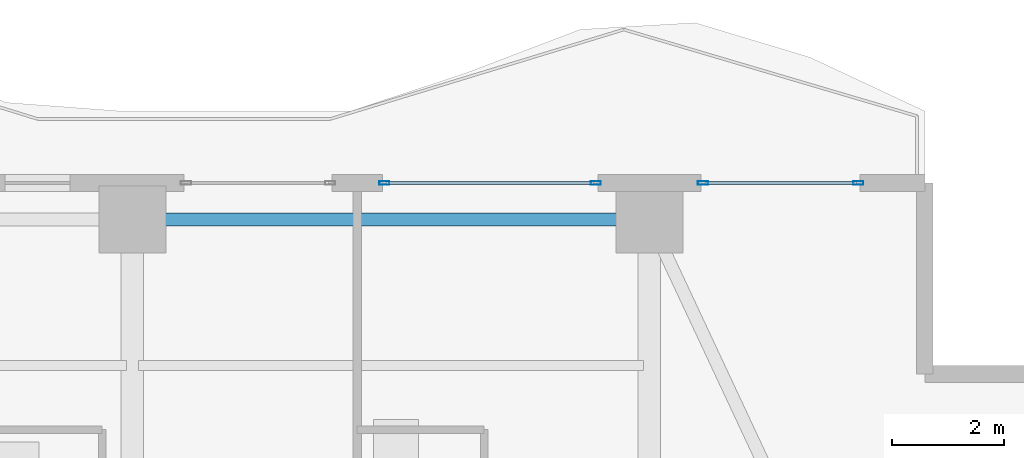
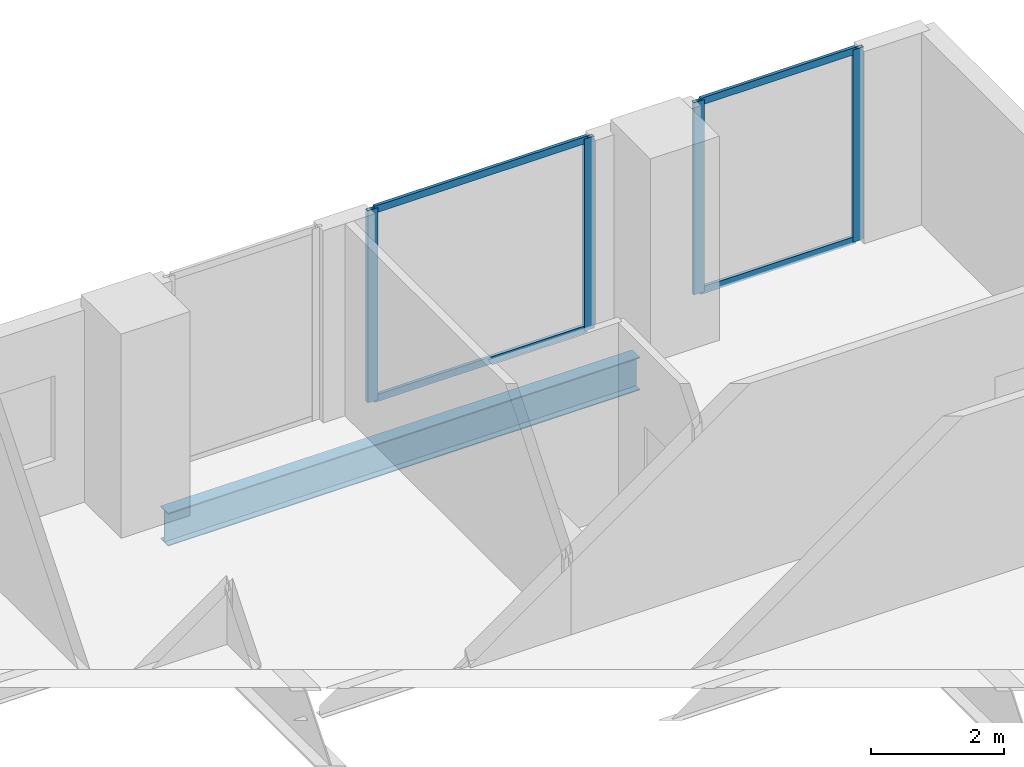
# One storey, part 22 of 32: 8 members, 1 beam, 2 elements without a shape of their own.
"""IFC4 building model written with IfcOpenShell, lengths in metres."""

from ifc_helpers import new_model, si_unit, direction, frame, origin, origin_2d, place, context, subcontext, project, spatial, hollow_rectangle, i_section, extrude, material, layer, layer_set, material_profile, profile_set, type_object, element, aggregate, save


model = new_model("IFC4")

# Units and contexts
model_context = context("Model", 3, precision=1e-05, world=origin(), true_north=direction((0.0, 1.0)))
body_context = subcontext(model_context, "Body", "Model", "MODEL_VIEW")
ifc_project = project(units=[si_unit("LENGTHUNIT", "METRE"), si_unit("AREAUNIT", "SQUARE_METRE"), si_unit("VOLUMEUNIT", "CUBIC_METRE"), si_unit("PLANEANGLEUNIT", "RADIAN"), si_unit("MASSUNIT", "GRAM", prefix="KILO")], contexts=[model_context])

# Site, building, storey
site_placement = place(None, origin())
site = spatial("IfcSite", under=ifc_project, at=site_placement, CompositionType="ELEMENT")
building_placement = place(site_placement, origin())
building = spatial("IfcBuilding", under=site, at=building_placement, Name="Zuhayl Quay Hotel", CompositionType="ELEMENT")
storey_placement = place(building_placement, frame((0.0, 0.0, 181.14990234375)))
storey = spatial("IfcBuildingStorey", under=building, at=storey_placement, Name="L45", CompositionType="ELEMENT", Elevation=181.14990234375)

# Beam
ifc_material_1 = material(Name="Steel ASTM A992 Grade 50", Category="steel")
ifc_material_profile_1 = material_profile(ifc_material_1, i_section(OverallWidth=0.22802734375, OverallDepth=0.60693359375, WebThickness=0.01123046875, FlangeThickness=0.017333984375, at=origin_2d()), Name="W24X76")
ifc_profile_set_1 = profile_set([ifc_material_profile_1], Name="Steel ASTM A992 Grade 50")
beam_type = type_object("IfcBeamType", Name="BM_B3_W24X76", PredefinedType="BEAM", material=ifc_profile_set_1)
beam_placement = place(storey_placement, frame((13.300048828125, 32.949951171875, -0.5234375), z_axis=(-1.0, 0.0, 0.0), x_axis=(0.0, -1.0, 0.0)))
element("IfcBeam", 1, at=beam_placement, inside=storey, type_object=beam_type, Name="L45 Floor Beam RG_L45_07", PredefinedType="BEAM", context=body_context, shape_type="SweptSolid", body=[
    extrude(i_section(OverallWidth=0.22802734375, OverallDepth=0.60693359375, WebThickness=0.01123046875, FlangeThickness=0.017333984375, at=origin_2d()), origin(), (0.0, 0.0, 1.0), 8.199951171875),
])

# Curtain wall, members
ifc_material_2 = material(Name="Anodised Aluminium 6063-T6", Category="aluminium")
ifc_layer = layer(ifc_material_2, 0.175048828125, Name="Anodised Aluminium 6063-T6", Category="aluminium")
ifc_layer_set = layer_set([ifc_layer], Name="Anodised Aluminium 6063-T6")
curtain_wall_type = type_object("IfcCurtainWallType", Name="CW_SYS_Z3", PredefinedType="USERDEFINED", material=ifc_layer_set)
curtain_wall_1_placement = place(storey_placement, origin())
curtain_wall_1 = element("IfcCurtainWall", 2, at=curtain_wall_1_placement, inside=storey, type_object=curtain_wall_type, Name="L45 Curtain Wall ENV_L45_N_CW4", ObjectType="UNITISED CURTAIN WALL", PredefinedType="USERDEFINED")
ifc_material_3 = material(Name="Black-anodised aluminium 6063-T6", Category="aluminium")
ifc_material_profile_2 = material_profile(ifc_material_3, hollow_rectangle(XDim=0.06494140625, YDim=0.179931640625, WallThickness=0.00341796875, at=origin_2d()), Name="ALU180X65")
ifc_profile_set_2 = profile_set([ifc_material_profile_2], Name="Black-anodised aluminium 6063-T6")
member_type_1 = type_object("IfcMemberType", Name="MB_CW_MUL_180", PredefinedType="MULLION", material=ifc_profile_set_2)
member_1_placement = place(storey_placement, frame((9.08251953125, 33.60009765625, 0.0), z_axis=(0.0, 0.0, 1.0), x_axis=(0.0, 1.0, 0.0)))
member_1 = element("IfcMember", 3, at=member_1_placement, type_object=member_type_1, Name="CW-Z3 mullion 1", PredefinedType="MULLION", context=body_context, shape_type="SweptSolid", body=[
    extrude(hollow_rectangle(XDim=0.06494140625, YDim=0.179931640625, WallThickness=0.00341796875, at=origin_2d()), origin(), (0.0, 0.0, 1.0), 3.530029296875),
])
member_2_placement = place(storey_placement, frame((12.847412109375, 33.60009765625, 0.0), z_axis=(0.0, 0.0, 1.0), x_axis=(0.0, 1.0, 0.0)))
member_2 = element("IfcMember", 4, at=member_2_placement, type_object=member_type_1, Name="CW-Z3 mullion 2", PredefinedType="MULLION", context=body_context, shape_type="SweptSolid", body=[
    extrude(hollow_rectangle(XDim=0.06494140625, YDim=0.179931640625, WallThickness=0.00341796875, at=origin_2d()), origin(), (0.0, 0.0, 1.0), 3.530029296875),
])

curtain_wall_2_placement = place(storey_placement, origin())
curtain_wall_2 = element("IfcCurtainWall", 5, at=curtain_wall_2_placement, inside=storey, type_object=curtain_wall_type, Name="L45 Curtain Wall ENV_L45_N_CW5", ObjectType="UNITISED CURTAIN WALL", PredefinedType="USERDEFINED")
member_3_placement = place(storey_placement, frame((14.75244140625, 33.60009765625, 0.0), z_axis=(0.0, 0.0, 1.0), x_axis=(0.0, 1.0, 0.0)))
member_3 = element("IfcMember", 6, at=member_3_placement, type_object=member_type_1, Name="CW-Z3 mullion 1", PredefinedType="MULLION", context=body_context, shape_type="SweptSolid", body=[
    extrude(hollow_rectangle(XDim=0.06494140625, YDim=0.179931640625, WallThickness=0.00341796875, at=origin_2d()), origin(), (0.0, 0.0, 1.0), 3.530029296875),
])
member_4_placement = place(storey_placement, frame((17.517578125, 33.60009765625, 0.0), z_axis=(0.0, 0.0, 1.0), x_axis=(0.0, 1.0, 0.0)))
member_4 = element("IfcMember", 7, at=member_4_placement, type_object=member_type_1, Name="CW-Z3 mullion 2", PredefinedType="MULLION", context=body_context, shape_type="SweptSolid", body=[
    extrude(hollow_rectangle(XDim=0.06494140625, YDim=0.179931640625, WallThickness=0.00341796875, at=origin_2d()), origin(), (0.0, 0.0, 1.0), 3.530029296875),
])

# Member
ifc_material_profile_3 = material_profile(ifc_material_3, hollow_rectangle(XDim=0.054931640625, YDim=0.1298828125, WallThickness=0.0029296875, at=origin_2d()), Name="ALU130X55")
ifc_profile_set_3 = profile_set([ifc_material_profile_3], Name="Black-anodised aluminium 6063-T6")
member_type_2 = type_object("IfcMemberType", Name="MB_CW_TRN_130", PredefinedType="USERDEFINED", material=ifc_profile_set_3)
member_5_placement = place(storey_placement, frame((9.114990234375, 33.60009765625, 0.027587890625), z_axis=(1.0, 0.0, 0.0), x_axis=(0.0, 1.0, 0.0)))
member_5 = element("IfcMember", 8, at=member_5_placement, type_object=member_type_2, Name="CW-Z3 transom 1.1", ObjectType="TRANSOM", PredefinedType="USERDEFINED", context=body_context, shape_type="SweptSolid", body=[
    extrude(hollow_rectangle(XDim=0.054931640625, YDim=0.1298828125, WallThickness=0.0029296875, at=origin_2d()), origin(), (0.0, 0.0, 1.0), 3.699951171875),
])

member_6_placement = place(storey_placement, frame((9.114990234375, 33.60009765625, 3.502685546875), z_axis=(1.0, 0.0, 0.0), x_axis=(0.0, 1.0, 0.0)))
member_6 = element("IfcMember", 9, at=member_6_placement, type_object=member_type_2, Name="CW-Z3 transom 1.2", ObjectType="TRANSOM", PredefinedType="USERDEFINED", context=body_context, shape_type="SweptSolid", body=[
    extrude(hollow_rectangle(XDim=0.054931640625, YDim=0.1298828125, WallThickness=0.0029296875, at=origin_2d()), origin(), (0.0, 0.0, 1.0), 3.699951171875),
])

aggregate(curtain_wall_1, [member_1, member_2, member_5, member_6])

member_7_placement = place(storey_placement, frame((14.784912109375, 33.60009765625, 0.027587890625), z_axis=(1.0, 0.0, 0.0), x_axis=(0.0, 1.0, 0.0)))
member_7 = element("IfcMember", 10, at=member_7_placement, type_object=member_type_2, Name="CW-Z3 transom 1.1", ObjectType="TRANSOM", PredefinedType="USERDEFINED", context=body_context, shape_type="SweptSolid", body=[
    extrude(hollow_rectangle(XDim=0.054931640625, YDim=0.1298828125, WallThickness=0.0029296875, at=origin_2d()), origin(), (0.0, 0.0, 1.0), 2.7001953125),
])

member_8_placement = place(storey_placement, frame((14.784912109375, 33.60009765625, 3.502685546875), z_axis=(1.0, 0.0, 0.0), x_axis=(0.0, 1.0, 0.0)))
member_8 = element("IfcMember", 11, at=member_8_placement, type_object=member_type_2, Name="CW-Z3 transom 1.2", ObjectType="TRANSOM", PredefinedType="USERDEFINED", context=body_context, shape_type="SweptSolid", body=[
    extrude(hollow_rectangle(XDim=0.054931640625, YDim=0.1298828125, WallThickness=0.0029296875, at=origin_2d()), origin(), (0.0, 0.0, 1.0), 2.7001953125),
])

aggregate(curtain_wall_2, [member_3, member_4, member_7, member_8])

save(model, "model.ifc")
